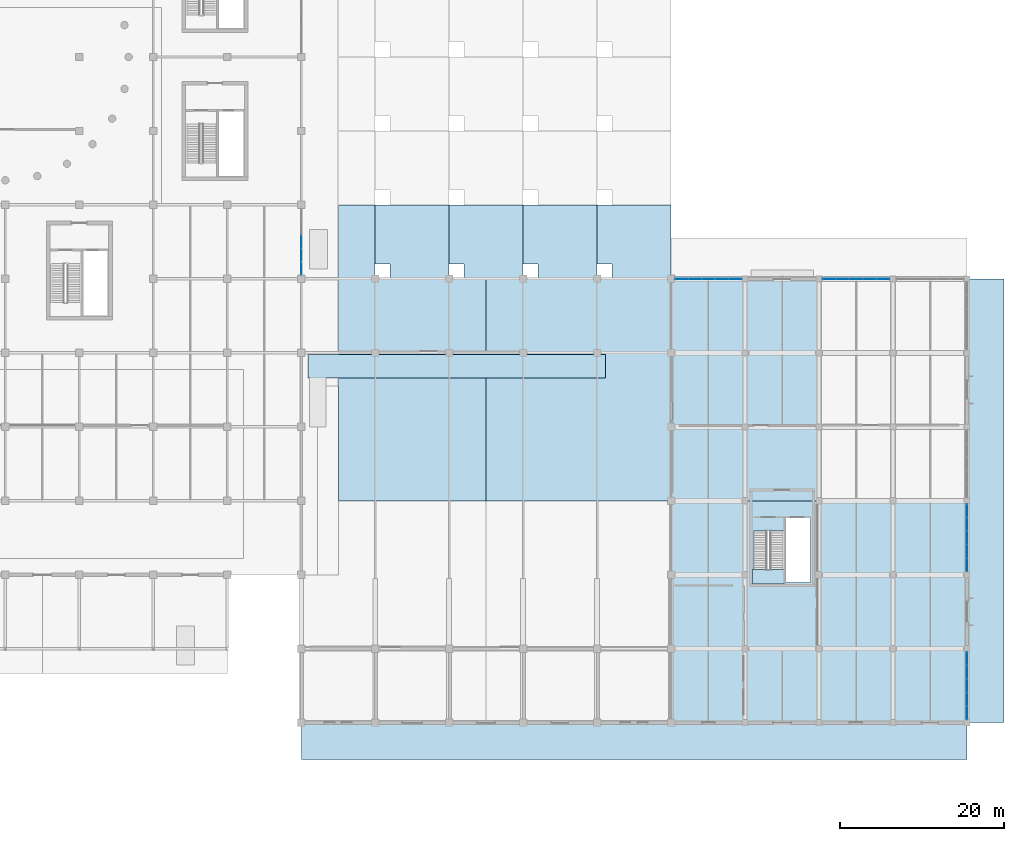
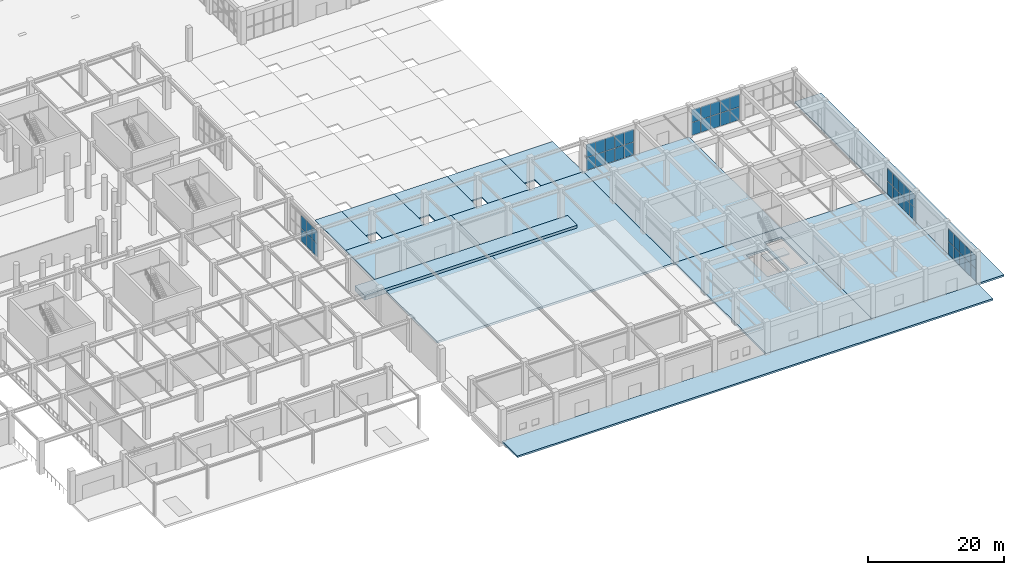
# One storey, part 54 of 91: 46 plates, 15 slabs, 6 elements without a shape of their own.
"""IFC4 building model written with IfcOpenShell, lengths in metres."""

from ifc_helpers import new_model, si_unit, direction, frame, origin, origin_2d, place, context, subcontext, project, spatial, polyline, rectangle, outline, extrude, material, layer, layer_set, type_object, element, aggregate, save


model = new_model("IFC4")

# Units and contexts
model_context = context("Model", 3, precision=1e-05, world=origin(), true_north=direction((0.0, 1.0)))
body_context = subcontext(model_context, "Body", "Model", "MODEL_VIEW")
ifc_project = project(units=[si_unit("LENGTHUNIT", "METRE"), si_unit("AREAUNIT", "SQUARE_METRE"), si_unit("VOLUMEUNIT", "CUBIC_METRE"), si_unit("PLANEANGLEUNIT", "RADIAN"), si_unit("MASSUNIT", "GRAM", prefix="KILO")], contexts=[model_context])

# Site, building, storey
site_placement = place(None, origin())
site = spatial("IfcSite", under=ifc_project, at=site_placement, CompositionType="ELEMENT")
building_placement = place(site_placement, origin())
building = spatial("IfcBuilding", under=site, at=building_placement, Name="Dornveld Trade and Exhibition Forum", CompositionType="ELEMENT")
storey_placement = place(building_placement, origin())
storey = spatial("IfcBuildingStorey", under=building, at=storey_placement, Name="L00", CompositionType="ELEMENT", Elevation=0.0)

# Curtain wall, plates
ifc_material_1 = material(Name="Dark-bronze anodised aluminium and low-E glass", Category="aluminium")
ifc_layer_1 = layer(ifc_material_1, 0.154052734375)
ifc_layer_set_1 = layer_set([ifc_layer_1], Name="Dark-bronze anodised aluminium and low-E glass")
curtain_wall_type_1 = type_object("IfcCurtainWallType", Name="CW-SYS-04", PredefinedType="USERDEFINED", material=ifc_layer_set_1)
curtain_wall_1_placement = place(storey_placement, origin())
curtain_wall_1 = element("IfcCurtainWall", 1, at=curtain_wall_1_placement, inside=storey, type_object=curtain_wall_type_1, Name="L00 unitised curtain wall 58", ObjectType="UNITISED_CURTAIN_WALL", PredefinedType="USERDEFINED")
ifc_material_2 = material(Name="Double-glazed low-E solar control glass", Category="glass")
ifc_layer_2 = layer(ifc_material_2, 0.028076171875)
ifc_layer_set_2 = layer_set([ifc_layer_2], Name="Double-glazed low-E solar control glass")
plate_type_1 = type_object("IfcPlateType", Name="CW-PNL-02", PredefinedType="CURTAIN_PANEL", material=ifc_layer_set_2)
plate_1_placement = place(storey_placement, frame((153.0, 55.271728515625, 0.055908203125), z_axis=(0.0, 0.0, 1.0), x_axis=(0.0, 1.0, 0.0)))
plate_1 = element("IfcPlate", 2, at=plate_1_placement, type_object=plate_type_1, Name="CW-04 panel 1.1", PredefinedType="CURTAIN_PANEL", context=body_context, shape_type="SweptSolid", body=[
    extrude(rectangle(XDim=1.531494140625, YDim=0.028076171875, at=origin_2d()), origin(), (0.0, 0.0, 1.0), 2.2919921875),
])
plate_2_placement = place(storey_placement, frame((153.0, 55.271728515625, 2.407958984375), z_axis=(0.0, 0.0, 1.0), x_axis=(0.0, 1.0, 0.0)))
plate_2 = element("IfcPlate", 3, at=plate_2_placement, type_object=plate_type_1, Name="CW-04 panel 1.2", PredefinedType="CURTAIN_PANEL", context=body_context, shape_type="SweptSolid", body=[
    extrude(rectangle(XDim=1.531494140625, YDim=0.028076171875, at=origin_2d()), origin(), (0.0, 0.0, 1.0), 2.2919921875),
])
plate_3_placement = place(storey_placement, frame((153.0, 56.87841796875, 0.055908203125), z_axis=(0.0, 0.0, 1.0), x_axis=(0.0, 1.0, 0.0)))
plate_3 = element("IfcPlate", 4, at=plate_3_placement, type_object=plate_type_1, Name="CW-04 panel 2.1", PredefinedType="CURTAIN_PANEL", context=body_context, shape_type="SweptSolid", body=[
    extrude(rectangle(XDim=1.5615234375, YDim=0.028076171875, at=origin_2d()), origin(), (0.0, 0.0, 1.0), 2.2919921875),
])
plate_4_placement = place(storey_placement, frame((153.0, 56.87841796875, 2.407958984375), z_axis=(0.0, 0.0, 1.0), x_axis=(0.0, 1.0, 0.0)))
plate_4 = element("IfcPlate", 5, at=plate_4_placement, type_object=plate_type_1, Name="CW-04 panel 2.2", PredefinedType="CURTAIN_PANEL", context=body_context, shape_type="SweptSolid", body=[
    extrude(rectangle(XDim=1.5615234375, YDim=0.028076171875, at=origin_2d()), origin(), (0.0, 0.0, 1.0), 2.2919921875),
])
plate_5_placement = place(storey_placement, frame((153.0, 58.5, 0.055908203125), z_axis=(0.0, 0.0, 1.0), x_axis=(0.0, 1.0, 0.0)))
plate_5 = element("IfcPlate", 6, at=plate_5_placement, type_object=plate_type_1, Name="CW-04 panel 3.1", PredefinedType="CURTAIN_PANEL", context=body_context, shape_type="SweptSolid", body=[
    extrude(rectangle(XDim=1.5615234375, YDim=0.028076171875, at=origin_2d()), origin(), (0.0, 0.0, 1.0), 2.2919921875),
])
plate_6_placement = place(storey_placement, frame((153.0, 58.5, 2.407958984375), z_axis=(0.0, 0.0, 1.0), x_axis=(0.0, 1.0, 0.0)))
plate_6 = element("IfcPlate", 7, at=plate_6_placement, type_object=plate_type_1, Name="CW-04 panel 3.2", PredefinedType="CURTAIN_PANEL", context=body_context, shape_type="SweptSolid", body=[
    extrude(rectangle(XDim=1.5615234375, YDim=0.028076171875, at=origin_2d()), origin(), (0.0, 0.0, 1.0), 2.2919921875),
])
aggregate(curtain_wall_1, [plate_1, plate_2, plate_3, plate_4, plate_5, plate_6])

ifc_material_3 = material(Name="Dark-bronze anodised aluminium and low-E glass", Category="aluminium")
ifc_layer_3 = layer(ifc_material_3, 0.177978515625)
ifc_layer_set_3 = layer_set([ifc_layer_3], Name="Dark-bronze anodised aluminium and low-E glass")
curtain_wall_type_2 = type_object("IfcCurtainWallType", Name="CW-SYS-12", PredefinedType="USERDEFINED", material=ifc_layer_set_3)
curtain_wall_2_placement = place(storey_placement, origin())
curtain_wall_2 = element("IfcCurtainWall", 8, at=curtain_wall_2_placement, inside=storey, type_object=curtain_wall_type_2, Name="L00 unitised curtain wall 66", ObjectType="UNITISED_CURTAIN_WALL", PredefinedType="USERDEFINED")
plate_7_placement = place(storey_placement, frame((234.0, 1.2119140625, 0.055908203125), z_axis=(0.0, 0.0, 1.0), x_axis=(0.0, 1.0, 0.0)))
plate_7 = element("IfcPlate", 9, at=plate_7_placement, type_object=plate_type_1, Name="CW-12 panel 1.1", PredefinedType="CURTAIN_PANEL", context=body_context, shape_type="SweptSolid", body=[
    extrude(rectangle(XDim=1.5615234375, YDim=0.028076171875, at=origin_2d()), origin(), (0.0, 0.0, 1.0), 2.2919921875),
])
plate_8_placement = place(storey_placement, frame((234.0, 1.2119140625, 2.407958984375), z_axis=(0.0, 0.0, 1.0), x_axis=(0.0, 1.0, 0.0)))
plate_8 = element("IfcPlate", 10, at=plate_8_placement, type_object=plate_type_1, Name="CW-12 panel 1.2", PredefinedType="CURTAIN_PANEL", context=body_context, shape_type="SweptSolid", body=[
    extrude(rectangle(XDim=1.5615234375, YDim=0.028076171875, at=origin_2d()), origin(), (0.0, 0.0, 1.0), 2.2919921875),
])
plate_9_placement = place(storey_placement, frame((234.0, 2.848388671875, 0.055908203125), z_axis=(0.0, 0.0, 1.0), x_axis=(0.0, 1.0, 0.0)))
plate_9 = element("IfcPlate", 11, at=plate_9_placement, type_object=plate_type_1, Name="CW-12 panel 2.1", PredefinedType="CURTAIN_PANEL", context=body_context, shape_type="SweptSolid", body=[
    extrude(rectangle(XDim=1.591552734375, YDim=0.028076171875, at=origin_2d()), origin(), (0.0, 0.0, 1.0), 2.2919921875),
])
plate_10_placement = place(storey_placement, frame((234.0, 2.848388671875, 2.407958984375), z_axis=(0.0, 0.0, 1.0), x_axis=(0.0, 1.0, 0.0)))
plate_10 = element("IfcPlate", 12, at=plate_10_placement, type_object=plate_type_1, Name="CW-12 panel 2.2", PredefinedType="CURTAIN_PANEL", context=body_context, shape_type="SweptSolid", body=[
    extrude(rectangle(XDim=1.591552734375, YDim=0.028076171875, at=origin_2d()), origin(), (0.0, 0.0, 1.0), 2.2919921875),
])
plate_11_placement = place(storey_placement, frame((234.0, 4.5, 0.055908203125), z_axis=(0.0, 0.0, 1.0), x_axis=(0.0, 1.0, 0.0)))
plate_11 = element("IfcPlate", 13, at=plate_11_placement, type_object=plate_type_1, Name="CW-12 panel 3.1", PredefinedType="CURTAIN_PANEL", context=body_context, shape_type="SweptSolid", body=[
    extrude(rectangle(XDim=1.591552734375, YDim=0.028076171875, at=origin_2d()), origin(), (0.0, 0.0, 1.0), 2.2919921875),
])
plate_12_placement = place(storey_placement, frame((234.0, 4.5, 2.407958984375), z_axis=(0.0, 0.0, 1.0), x_axis=(0.0, 1.0, 0.0)))
plate_12 = element("IfcPlate", 14, at=plate_12_placement, type_object=plate_type_1, Name="CW-12 panel 3.2", PredefinedType="CURTAIN_PANEL", context=body_context, shape_type="SweptSolid", body=[
    extrude(rectangle(XDim=1.591552734375, YDim=0.028076171875, at=origin_2d()), origin(), (0.0, 0.0, 1.0), 2.2919921875),
])
plate_13_placement = place(storey_placement, frame((234.0, 6.151611328125, 0.055908203125), z_axis=(0.0, 0.0, 1.0), x_axis=(0.0, 1.0, 0.0)))
plate_13 = element("IfcPlate", 15, at=plate_13_placement, type_object=plate_type_1, Name="CW-12 panel 4.1", PredefinedType="CURTAIN_PANEL", context=body_context, shape_type="SweptSolid", body=[
    extrude(rectangle(XDim=1.591552734375, YDim=0.028076171875, at=origin_2d()), origin(), (0.0, 0.0, 1.0), 2.2919921875),
])
plate_14_placement = place(storey_placement, frame((234.0, 6.151611328125, 2.407958984375), z_axis=(0.0, 0.0, 1.0), x_axis=(0.0, 1.0, 0.0)))
plate_14 = element("IfcPlate", 16, at=plate_14_placement, type_object=plate_type_1, Name="CW-12 panel 4.2", PredefinedType="CURTAIN_PANEL", context=body_context, shape_type="SweptSolid", body=[
    extrude(rectangle(XDim=1.591552734375, YDim=0.028076171875, at=origin_2d()), origin(), (0.0, 0.0, 1.0), 2.2919921875),
])
plate_15_placement = place(storey_placement, frame((234.0, 7.7880859375, 0.055908203125), z_axis=(0.0, 0.0, 1.0), x_axis=(0.0, 1.0, 0.0)))
plate_15 = element("IfcPlate", 17, at=plate_15_placement, type_object=plate_type_1, Name="CW-12 panel 5.1", PredefinedType="CURTAIN_PANEL", context=body_context, shape_type="SweptSolid", body=[
    extrude(rectangle(XDim=1.5615234375, YDim=0.028076171875, at=origin_2d()), origin(), (0.0, 0.0, 1.0), 2.2919921875),
])
plate_16_placement = place(storey_placement, frame((234.0, 7.7880859375, 2.407958984375), z_axis=(0.0, 0.0, 1.0), x_axis=(0.0, 1.0, 0.0)))
plate_16 = element("IfcPlate", 18, at=plate_16_placement, type_object=plate_type_1, Name="CW-12 panel 5.2", PredefinedType="CURTAIN_PANEL", context=body_context, shape_type="SweptSolid", body=[
    extrude(rectangle(XDim=1.5615234375, YDim=0.028076171875, at=origin_2d()), origin(), (0.0, 0.0, 1.0), 2.2919921875),
])
aggregate(curtain_wall_2, [plate_7, plate_8, plate_9, plate_10, plate_11, plate_12, plate_13, plate_14, plate_15, plate_16])

ifc_material_4 = material(Name="Dark-bronze anodised aluminium and low-E glass", Category="aluminium")
ifc_layer_4 = layer(ifc_material_4, 0.180908203125)
ifc_layer_set_4 = layer_set([ifc_layer_4], Name="Dark-bronze anodised aluminium and low-E glass")
curtain_wall_type_3 = type_object("IfcCurtainWallType", Name="CW-SYS-13", PredefinedType="USERDEFINED", material=ifc_layer_set_4)
curtain_wall_3_placement = place(storey_placement, origin())
curtain_wall_3 = element("IfcCurtainWall", 19, at=curtain_wall_3_placement, inside=storey, type_object=curtain_wall_type_3, Name="L00 unitised curtain wall 67", ObjectType="UNITISED_CURTAIN_WALL", PredefinedType="USERDEFINED")
ifc_material_5 = material(Name="Double-glazed low-E solar control glass", Category="glass")
ifc_layer_5 = layer(ifc_material_5, 0.030029296875)
ifc_layer_set_5 = layer_set([ifc_layer_5], Name="Double-glazed low-E solar control glass")
plate_type_2 = type_object("IfcPlateType", Name="CW-PNL-03", PredefinedType="CURTAIN_PANEL", material=ifc_layer_set_5)
plate_17_placement = place(storey_placement, frame((234.0, 19.2119140625, 0.055908203125), z_axis=(0.0, 0.0, 1.0), x_axis=(0.0, 1.0, 0.0)))
plate_17 = element("IfcPlate", 20, at=plate_17_placement, type_object=plate_type_2, Name="CW-13 panel 1.1", PredefinedType="CURTAIN_PANEL", context=body_context, shape_type="SweptSolid", body=[
    extrude(rectangle(XDim=1.5615234375, YDim=0.030029296875, at=origin_2d()), origin(), (0.0, 0.0, 1.0), 2.2919921875),
])
plate_18_placement = place(storey_placement, frame((234.0, 19.2119140625, 2.407958984375), z_axis=(0.0, 0.0, 1.0), x_axis=(0.0, 1.0, 0.0)))
plate_18 = element("IfcPlate", 21, at=plate_18_placement, type_object=plate_type_2, Name="CW-13 panel 1.2", PredefinedType="CURTAIN_PANEL", context=body_context, shape_type="SweptSolid", body=[
    extrude(rectangle(XDim=1.5615234375, YDim=0.030029296875, at=origin_2d()), origin(), (0.0, 0.0, 1.0), 2.2919921875),
])
plate_19_placement = place(storey_placement, frame((234.0, 20.848388671875, 0.055908203125), z_axis=(0.0, 0.0, 1.0), x_axis=(0.0, 1.0, 0.0)))
plate_19 = element("IfcPlate", 22, at=plate_19_placement, type_object=plate_type_2, Name="CW-13 panel 2.1", PredefinedType="CURTAIN_PANEL", context=body_context, shape_type="SweptSolid", body=[
    extrude(rectangle(XDim=1.591552734375, YDim=0.030029296875, at=origin_2d()), origin(), (0.0, 0.0, 1.0), 2.2919921875),
])
plate_20_placement = place(storey_placement, frame((234.0, 20.848388671875, 2.407958984375), z_axis=(0.0, 0.0, 1.0), x_axis=(0.0, 1.0, 0.0)))
plate_20 = element("IfcPlate", 23, at=plate_20_placement, type_object=plate_type_2, Name="CW-13 panel 2.2", PredefinedType="CURTAIN_PANEL", context=body_context, shape_type="SweptSolid", body=[
    extrude(rectangle(XDim=1.591552734375, YDim=0.030029296875, at=origin_2d()), origin(), (0.0, 0.0, 1.0), 2.2919921875),
])
plate_21_placement = place(storey_placement, frame((234.0, 22.5, 0.055908203125), z_axis=(0.0, 0.0, 1.0), x_axis=(0.0, 1.0, 0.0)))
plate_21 = element("IfcPlate", 24, at=plate_21_placement, type_object=plate_type_2, Name="CW-13 panel 3.1", PredefinedType="CURTAIN_PANEL", context=body_context, shape_type="SweptSolid", body=[
    extrude(rectangle(XDim=1.591552734375, YDim=0.030029296875, at=origin_2d()), origin(), (0.0, 0.0, 1.0), 2.2919921875),
])
plate_22_placement = place(storey_placement, frame((234.0, 22.5, 2.407958984375), z_axis=(0.0, 0.0, 1.0), x_axis=(0.0, 1.0, 0.0)))
plate_22 = element("IfcPlate", 25, at=plate_22_placement, type_object=plate_type_2, Name="CW-13 panel 3.2", PredefinedType="CURTAIN_PANEL", context=body_context, shape_type="SweptSolid", body=[
    extrude(rectangle(XDim=1.591552734375, YDim=0.030029296875, at=origin_2d()), origin(), (0.0, 0.0, 1.0), 2.2919921875),
])
plate_23_placement = place(storey_placement, frame((234.0, 24.151611328125, 0.055908203125), z_axis=(0.0, 0.0, 1.0), x_axis=(0.0, 1.0, 0.0)))
plate_23 = element("IfcPlate", 26, at=plate_23_placement, type_object=plate_type_2, Name="CW-13 panel 4.1", PredefinedType="CURTAIN_PANEL", context=body_context, shape_type="SweptSolid", body=[
    extrude(rectangle(XDim=1.591552734375, YDim=0.030029296875, at=origin_2d()), origin(), (0.0, 0.0, 1.0), 2.2919921875),
])
plate_24_placement = place(storey_placement, frame((234.0, 24.151611328125, 2.407958984375), z_axis=(0.0, 0.0, 1.0), x_axis=(0.0, 1.0, 0.0)))
plate_24 = element("IfcPlate", 27, at=plate_24_placement, type_object=plate_type_2, Name="CW-13 panel 4.2", PredefinedType="CURTAIN_PANEL", context=body_context, shape_type="SweptSolid", body=[
    extrude(rectangle(XDim=1.591552734375, YDim=0.030029296875, at=origin_2d()), origin(), (0.0, 0.0, 1.0), 2.2919921875),
])
plate_25_placement = place(storey_placement, frame((234.0, 25.7880859375, 0.055908203125), z_axis=(0.0, 0.0, 1.0), x_axis=(0.0, 1.0, 0.0)))
plate_25 = element("IfcPlate", 28, at=plate_25_placement, type_object=plate_type_2, Name="CW-13 panel 5.1", PredefinedType="CURTAIN_PANEL", context=body_context, shape_type="SweptSolid", body=[
    extrude(rectangle(XDim=1.5615234375, YDim=0.030029296875, at=origin_2d()), origin(), (0.0, 0.0, 1.0), 2.2919921875),
])
plate_26_placement = place(storey_placement, frame((234.0, 25.7880859375, 2.407958984375), z_axis=(0.0, 0.0, 1.0), x_axis=(0.0, 1.0, 0.0)))
plate_26 = element("IfcPlate", 29, at=plate_26_placement, type_object=plate_type_2, Name="CW-13 panel 5.2", PredefinedType="CURTAIN_PANEL", context=body_context, shape_type="SweptSolid", body=[
    extrude(rectangle(XDim=1.5615234375, YDim=0.030029296875, at=origin_2d()), origin(), (0.0, 0.0, 1.0), 2.2919921875),
])
aggregate(curtain_wall_3, [plate_17, plate_18, plate_19, plate_20, plate_21, plate_22, plate_23, plate_24, plate_25, plate_26])

curtain_wall_4_placement = place(storey_placement, origin())
curtain_wall_4 = element("IfcCurtainWall", 30, at=curtain_wall_4_placement, inside=storey, type_object=curtain_wall_type_2, Name="L00 unitised curtain wall 84", ObjectType="UNITISED_CURTAIN_WALL", PredefinedType="USERDEFINED")
ifc_material_6 = material(Name="Double-glazed low-E solar control glass", Category="glass")
ifc_layer_6 = layer(ifc_material_6, 0.031982421875)
ifc_layer_set_6 = layer_set([ifc_layer_6], Name="Double-glazed low-E solar control glass")
plate_type_3 = type_object("IfcPlateType", Name="CW-PNL-04", PredefinedType="CURTAIN_PANEL", material=ifc_layer_set_6)
plate_27_placement = place(storey_placement, frame((205.795654296875, 54.0, 0.055908203125), z_axis=(0.0, 0.0, 1.0), x_axis=(-1.0, 0.0, 0.0)))
plate_27 = element("IfcPlate", 31, at=plate_27_placement, type_object=plate_type_3, Name="CW-12 panel 1.1", PredefinedType="CURTAIN_PANEL", context=body_context, shape_type="SweptSolid", body=[
    extrude(rectangle(XDim=1.546630859375, YDim=0.031982421875, at=origin_2d()), origin(), (0.0, 0.0, 1.0), 2.2919921875),
])
plate_28_placement = place(storey_placement, frame((205.795654296875, 54.0, 2.407958984375), z_axis=(0.0, 0.0, 1.0), x_axis=(-1.0, 0.0, 0.0)))
plate_28 = element("IfcPlate", 32, at=plate_28_placement, type_object=plate_type_3, Name="CW-12 panel 1.2", PredefinedType="CURTAIN_PANEL", context=body_context, shape_type="SweptSolid", body=[
    extrude(rectangle(XDim=1.546630859375, YDim=0.031982421875, at=origin_2d()), origin(), (0.0, 0.0, 1.0), 2.2919921875),
])
plate_29_placement = place(storey_placement, frame((204.174072265625, 54.0, 0.055908203125), z_axis=(0.0, 0.0, 1.0), x_axis=(-1.0, 0.0, 0.0)))
plate_29 = element("IfcPlate", 33, at=plate_29_placement, type_object=plate_type_3, Name="CW-12 panel 2.1", PredefinedType="CURTAIN_PANEL", context=body_context, shape_type="SweptSolid", body=[
    extrude(rectangle(XDim=1.57666015625, YDim=0.031982421875, at=origin_2d()), origin(), (0.0, 0.0, 1.0), 2.2919921875),
])
plate_30_placement = place(storey_placement, frame((204.174072265625, 54.0, 2.407958984375), z_axis=(0.0, 0.0, 1.0), x_axis=(-1.0, 0.0, 0.0)))
plate_30 = element("IfcPlate", 34, at=plate_30_placement, type_object=plate_type_3, Name="CW-12 panel 2.2", PredefinedType="CURTAIN_PANEL", context=body_context, shape_type="SweptSolid", body=[
    extrude(rectangle(XDim=1.57666015625, YDim=0.031982421875, at=origin_2d()), origin(), (0.0, 0.0, 1.0), 2.2919921875),
])
plate_31_placement = place(storey_placement, frame((202.53759765625, 54.0, 0.055908203125), z_axis=(0.0, 0.0, 1.0), x_axis=(-1.0, 0.0, 0.0)))
plate_31 = element("IfcPlate", 35, at=plate_31_placement, type_object=plate_type_3, Name="CW-12 panel 3.1", PredefinedType="CURTAIN_PANEL", context=body_context, shape_type="SweptSolid", body=[
    extrude(rectangle(XDim=1.57666015625, YDim=0.031982421875, at=origin_2d()), origin(), (0.0, 0.0, 1.0), 2.2919921875),
])
plate_32_placement = place(storey_placement, frame((202.53759765625, 54.0, 2.407958984375), z_axis=(0.0, 0.0, 1.0), x_axis=(-1.0, 0.0, 0.0)))
plate_32 = element("IfcPlate", 36, at=plate_32_placement, type_object=plate_type_3, Name="CW-12 panel 3.2", PredefinedType="CURTAIN_PANEL", context=body_context, shape_type="SweptSolid", body=[
    extrude(rectangle(XDim=1.57666015625, YDim=0.031982421875, at=origin_2d()), origin(), (0.0, 0.0, 1.0), 2.2919921875),
])
plate_33_placement = place(storey_placement, frame((200.90087890625, 54.0, 0.055908203125), z_axis=(0.0, 0.0, 1.0), x_axis=(-1.0, 0.0, 0.0)))
plate_33 = element("IfcPlate", 37, at=plate_33_placement, type_object=plate_type_3, Name="CW-12 panel 4.1", PredefinedType="CURTAIN_PANEL", context=body_context, shape_type="SweptSolid", body=[
    extrude(rectangle(XDim=1.57666015625, YDim=0.031982421875, at=origin_2d()), origin(), (0.0, 0.0, 1.0), 2.2919921875),
])
plate_34_placement = place(storey_placement, frame((200.90087890625, 54.0, 2.407958984375), z_axis=(0.0, 0.0, 1.0), x_axis=(-1.0, 0.0, 0.0)))
plate_34 = element("IfcPlate", 38, at=plate_34_placement, type_object=plate_type_3, Name="CW-12 panel 4.2", PredefinedType="CURTAIN_PANEL", context=body_context, shape_type="SweptSolid", body=[
    extrude(rectangle(XDim=1.57666015625, YDim=0.031982421875, at=origin_2d()), origin(), (0.0, 0.0, 1.0), 2.2919921875),
])
plate_35_placement = place(storey_placement, frame((199.279296875, 54.0, 0.055908203125), z_axis=(0.0, 0.0, 1.0), x_axis=(-1.0, 0.0, 0.0)))
plate_35 = element("IfcPlate", 39, at=plate_35_placement, type_object=plate_type_3, Name="CW-12 panel 5.1", PredefinedType="CURTAIN_PANEL", context=body_context, shape_type="SweptSolid", body=[
    extrude(rectangle(XDim=1.546630859375, YDim=0.031982421875, at=origin_2d()), origin(), (0.0, 0.0, 1.0), 2.2919921875),
])
plate_36_placement = place(storey_placement, frame((199.279296875, 54.0, 2.407958984375), z_axis=(0.0, 0.0, 1.0), x_axis=(-1.0, 0.0, 0.0)))
plate_36 = element("IfcPlate", 40, at=plate_36_placement, type_object=plate_type_3, Name="CW-12 panel 5.2", PredefinedType="CURTAIN_PANEL", context=body_context, shape_type="SweptSolid", body=[
    extrude(rectangle(XDim=1.546630859375, YDim=0.031982421875, at=origin_2d()), origin(), (0.0, 0.0, 1.0), 2.2919921875),
])
aggregate(curtain_wall_4, [plate_27, plate_28, plate_29, plate_30, plate_31, plate_32, plate_33, plate_34, plate_35, plate_36])

curtain_wall_5_placement = place(storey_placement, origin())
curtain_wall_5 = element("IfcCurtainWall", 41, at=curtain_wall_5_placement, inside=storey, type_object=curtain_wall_type_3, Name="L00 unitised curtain wall 85", ObjectType="UNITISED_CURTAIN_WALL", PredefinedType="USERDEFINED")
ifc_material_7 = material(Name="Double-glazed low-E solar control glass", Category="glass")
ifc_layer_7 = layer(ifc_material_7, 0.033935546875)
ifc_layer_set_7 = layer_set([ifc_layer_7], Name="Double-glazed low-E solar control glass")
plate_type_4 = type_object("IfcPlateType", Name="CW-PNL-05", PredefinedType="CURTAIN_PANEL", material=ifc_layer_set_7)
plate_37_placement = place(storey_placement, frame((223.7880859375, 54.0, 0.055908203125), z_axis=(0.0, 0.0, 1.0), x_axis=(-1.0, 0.0, 0.0)))
plate_37 = element("IfcPlate", 42, at=plate_37_placement, type_object=plate_type_4, Name="CW-13 panel 1.1", PredefinedType="CURTAIN_PANEL", context=body_context, shape_type="SweptSolid", body=[
    extrude(rectangle(XDim=1.5615234375, YDim=0.033935546875, at=origin_2d()), origin(), (0.0, 0.0, 1.0), 2.2919921875),
])
plate_38_placement = place(storey_placement, frame((223.7880859375, 54.0, 2.407958984375), z_axis=(0.0, 0.0, 1.0), x_axis=(-1.0, 0.0, 0.0)))
plate_38 = element("IfcPlate", 43, at=plate_38_placement, type_object=plate_type_4, Name="CW-13 panel 1.2", PredefinedType="CURTAIN_PANEL", context=body_context, shape_type="SweptSolid", body=[
    extrude(rectangle(XDim=1.5615234375, YDim=0.033935546875, at=origin_2d()), origin(), (0.0, 0.0, 1.0), 2.2919921875),
])
plate_39_placement = place(storey_placement, frame((222.151611328125, 54.0, 0.055908203125), z_axis=(0.0, 0.0, 1.0), x_axis=(-1.0, 0.0, 0.0)))
plate_39 = element("IfcPlate", 44, at=plate_39_placement, type_object=plate_type_4, Name="CW-13 panel 2.1", PredefinedType="CURTAIN_PANEL", context=body_context, shape_type="SweptSolid", body=[
    extrude(rectangle(XDim=1.591552734375, YDim=0.033935546875, at=origin_2d()), origin(), (0.0, 0.0, 1.0), 2.2919921875),
])
plate_40_placement = place(storey_placement, frame((222.151611328125, 54.0, 2.407958984375), z_axis=(0.0, 0.0, 1.0), x_axis=(-1.0, 0.0, 0.0)))
plate_40 = element("IfcPlate", 45, at=plate_40_placement, type_object=plate_type_4, Name="CW-13 panel 2.2", PredefinedType="CURTAIN_PANEL", context=body_context, shape_type="SweptSolid", body=[
    extrude(rectangle(XDim=1.591552734375, YDim=0.033935546875, at=origin_2d()), origin(), (0.0, 0.0, 1.0), 2.2919921875),
])
plate_41_placement = place(storey_placement, frame((220.5, 54.0, 0.055908203125), z_axis=(0.0, 0.0, 1.0), x_axis=(-1.0, 0.0, 0.0)))
plate_41 = element("IfcPlate", 46, at=plate_41_placement, type_object=plate_type_4, Name="CW-13 panel 3.1", PredefinedType="CURTAIN_PANEL", context=body_context, shape_type="SweptSolid", body=[
    extrude(rectangle(XDim=1.591552734375, YDim=0.033935546875, at=origin_2d()), origin(), (0.0, 0.0, 1.0), 2.2919921875),
])
plate_42_placement = place(storey_placement, frame((220.5, 54.0, 2.407958984375), z_axis=(0.0, 0.0, 1.0), x_axis=(-1.0, 0.0, 0.0)))
plate_42 = element("IfcPlate", 47, at=plate_42_placement, type_object=plate_type_4, Name="CW-13 panel 3.2", PredefinedType="CURTAIN_PANEL", context=body_context, shape_type="SweptSolid", body=[
    extrude(rectangle(XDim=1.591552734375, YDim=0.033935546875, at=origin_2d()), origin(), (0.0, 0.0, 1.0), 2.2919921875),
])
plate_43_placement = place(storey_placement, frame((218.848388671875, 54.0, 0.055908203125), z_axis=(0.0, 0.0, 1.0), x_axis=(-1.0, 0.0, 0.0)))
plate_43 = element("IfcPlate", 48, at=plate_43_placement, type_object=plate_type_4, Name="CW-13 panel 4.1", PredefinedType="CURTAIN_PANEL", context=body_context, shape_type="SweptSolid", body=[
    extrude(rectangle(XDim=1.591552734375, YDim=0.033935546875, at=origin_2d()), origin(), (0.0, 0.0, 1.0), 2.2919921875),
])
plate_44_placement = place(storey_placement, frame((218.848388671875, 54.0, 2.407958984375), z_axis=(0.0, 0.0, 1.0), x_axis=(-1.0, 0.0, 0.0)))
plate_44 = element("IfcPlate", 49, at=plate_44_placement, type_object=plate_type_4, Name="CW-13 panel 4.2", PredefinedType="CURTAIN_PANEL", context=body_context, shape_type="SweptSolid", body=[
    extrude(rectangle(XDim=1.591552734375, YDim=0.033935546875, at=origin_2d()), origin(), (0.0, 0.0, 1.0), 2.2919921875),
])
plate_45_placement = place(storey_placement, frame((217.2119140625, 54.0, 0.055908203125), z_axis=(0.0, 0.0, 1.0), x_axis=(-1.0, 0.0, 0.0)))
plate_45 = element("IfcPlate", 50, at=plate_45_placement, type_object=plate_type_4, Name="CW-13 panel 5.1", PredefinedType="CURTAIN_PANEL", context=body_context, shape_type="SweptSolid", body=[
    extrude(rectangle(XDim=1.5615234375, YDim=0.033935546875, at=origin_2d()), origin(), (0.0, 0.0, 1.0), 2.2919921875),
])
plate_46_placement = place(storey_placement, frame((217.2119140625, 54.0, 2.407958984375), z_axis=(0.0, 0.0, 1.0), x_axis=(-1.0, 0.0, 0.0)))
plate_46 = element("IfcPlate", 51, at=plate_46_placement, type_object=plate_type_4, Name="CW-13 panel 5.2", PredefinedType="CURTAIN_PANEL", context=body_context, shape_type="SweptSolid", body=[
    extrude(rectangle(XDim=1.5615234375, YDim=0.033935546875, at=origin_2d()), origin(), (0.0, 0.0, 1.0), 2.2919921875),
])
aggregate(curtain_wall_5, [plate_37, plate_38, plate_39, plate_40, plate_41, plate_42, plate_43, plate_44, plate_45, plate_46])

# Slabs
ifc_material_8 = material(Name="Precast concrete C50/60", Category="concrete")
ifc_layer_8 = layer(ifc_material_8, 0.22998046875)
ifc_layer_set_8 = layer_set([ifc_layer_8], Name="Precast concrete C50/60")
slab_type_1 = type_object("IfcSlabType", Name="SL-EXT-02", PredefinedType="BASESLAB", material=ifc_layer_set_8)
slab_1_placement = place(storey_placement, frame((0.0, 0.0, -0.22998046875)))
element("IfcSlab", 52, at=slab_1_placement, inside=storey, type_object=slab_type_1, Name="Walled Park Garden Court granite paving bay 1.1", PredefinedType="BASESLAB", context=body_context, shape_type="SweptSolid", body=[
    extrude(outline(polyline([(162.0, 63.0), (162.0, 54.0), (157.501953125, 54.0), (157.501953125, 63.0), (162.0, 63.0)])), origin(), (0.0, 0.0, 1.0), 0.22998046875),
])
slab_2_placement = place(storey_placement, frame((0.0, 0.0, -0.22998046875)))
element("IfcSlab", 53, at=slab_2_placement, inside=storey, type_object=slab_type_1, Name="Walled Park Garden Court granite paving bay 2.1", PredefinedType="BASESLAB", context=body_context, shape_type="SweptSolid", body=[
    extrude(outline(polyline([(163.800048828125, 54.0), (171.0, 54.0), (171.0, 63.0), (162.0, 63.0), (162.0, 55.800048828125), (163.800048828125, 55.800048828125), (163.800048828125, 54.0)])), origin(), (0.0, 0.0, 1.0), 0.22998046875),
])
slab_3_placement = place(storey_placement, frame((0.0, 0.0, -0.22998046875)))
element("IfcSlab", 54, at=slab_3_placement, inside=storey, type_object=slab_type_1, Name="Walled Park Garden Court granite paving bay 3.1", PredefinedType="BASESLAB", context=body_context, shape_type="SweptSolid", body=[
    extrude(outline(polyline([(172.800048828125, 54.0), (180.0, 54.0), (180.0, 63.0), (171.0, 63.0), (171.0, 55.800048828125), (172.800048828125, 55.800048828125), (172.800048828125, 54.0)])), origin(), (0.0, 0.0, 1.0), 0.22998046875),
])
slab_4_placement = place(storey_placement, frame((0.0, 0.0, -0.22998046875)))
element("IfcSlab", 55, at=slab_4_placement, inside=storey, type_object=slab_type_1, Name="Walled Park Garden Court granite paving bay 4.1", PredefinedType="BASESLAB", context=body_context, shape_type="SweptSolid", body=[
    extrude(outline(polyline([(181.800048828125, 54.0), (189.0, 54.0), (189.0, 63.0), (180.0, 63.0), (180.0, 55.800048828125), (181.800048828125, 55.800048828125), (181.800048828125, 54.0)])), origin(), (0.0, 0.0, 1.0), 0.22998046875),
])
slab_5_placement = place(storey_placement, frame((0.0, 0.0, -0.22998046875)))
element("IfcSlab", 56, at=slab_5_placement, inside=storey, type_object=slab_type_1, Name="Walled Park Garden Court granite paving bay 5.1", PredefinedType="BASESLAB", context=body_context, shape_type="SweptSolid", body=[
    extrude(outline(polyline([(190.800048828125, 54.0), (198.0, 54.0), (198.0, 63.0), (189.0, 63.0), (189.0, 55.800048828125), (190.800048828125, 55.800048828125), (190.800048828125, 54.0)])), origin(), (0.0, 0.0, 1.0), 0.22998046875),
])
ifc_material_9 = material(Name="Precast concrete C50/60", Category="concrete")
ifc_layer_9 = layer(ifc_material_9, 0.31005859375)
ifc_layer_set_9 = layer_set([ifc_layer_9], Name="Precast concrete C50/60")
slab_type_2 = type_object("IfcSlabType", Name="SL-EXT-04", PredefinedType="BASESLAB", material=ifc_layer_set_9)
slab_6_placement = place(storey_placement, frame((0.0, 0.0, -0.31005859375)))
element("IfcSlab", 57, at=slab_6_placement, inside=storey, type_object=slab_type_2, Name="L00 perimeter court paving PAV-SE", PredefinedType="BASESLAB", context=body_context, shape_type="SweptSolid", body=[
    extrude(outline(polyline([(153.0, -0.001953125), (234.0, -0.001953125), (234.0, -4.5), (153.0, -4.5), (153.0, -0.001953125)])), origin(), (0.0, 0.0, 1.0), 0.31005859375),
])
ifc_material_10 = material(Name="Precast concrete C50/60", Category="concrete")
ifc_layer_10 = layer(ifc_material_10, 0.330078125)
ifc_layer_set_10 = layer_set([ifc_layer_10], Name="Precast concrete C50/60")
slab_type_3 = type_object("IfcSlabType", Name="SL-EXT-05", PredefinedType="BASESLAB", material=ifc_layer_set_10)
slab_7_placement = place(storey_placement, frame((0.0, 0.0, -0.330078125)))
element("IfcSlab", 58, at=slab_7_placement, inside=storey, type_object=slab_type_3, Name="L00 perimeter court paving PAV-E", PredefinedType="BASESLAB", context=body_context, shape_type="SweptSolid", body=[
    extrude(outline(polyline([(238.5, 54.0), (238.5, 0.0), (234.001953125, 0.0), (234.001953125, 54.0), (238.5, 54.0)])), origin(), (0.0, 0.0, 1.0), 0.330078125),
])
ifc_material_11 = material(Name="Concrete C40/50", Category="concrete")
ifc_layer_11 = layer(ifc_material_11, 0.3798828125)
ifc_layer_set_11 = layer_set([ifc_layer_11], Name="Concrete C40/50")
slab_type_4 = type_object("IfcSlabType", Name="SL-HALL-380", PredefinedType="BASESLAB", material=ifc_layer_set_11)
slab_8_placement = place(storey_placement, frame((0.0, 0.0, -0.3798828125)))
element("IfcSlab", 59, at=slab_8_placement, inside=storey, type_object=slab_type_4, Name="L00 structural slab panel 19", PredefinedType="BASESLAB", context=body_context, shape_type="SweptSolid", body=[
    extrude(outline(polyline([(157.501953125, 27.0), (157.501953125, 41.91796875), (175.5, 41.91796875), (175.5, 27.0), (157.501953125, 27.0)])), origin(), (0.0, 0.0, 1.0), 0.3798828125),
])
slab_9_placement = place(storey_placement, frame((0.0, 0.0, -0.3798828125)))
element("IfcSlab", 60, at=slab_9_placement, inside=storey, type_object=slab_type_4, Name="L00 structural slab panel 21", PredefinedType="BASESLAB", context=body_context, shape_type="SweptSolid", body=[
    extrude(outline(polyline([(175.5, 54.0), (198.0, 54.0), (198.0, 27.0), (175.5, 27.0), (175.5, 41.91796875), (190.001953125, 41.91796875), (190.001953125, 44.802001953125), (175.5, 44.802001953125), (175.5, 54.0)])), origin(), (0.0, 0.0, 1.0), 0.3798828125),
])
slab_10_placement = place(storey_placement, frame((0.0, 0.0, -0.3798828125)))
element("IfcSlab", 61, at=slab_10_placement, inside=storey, type_object=slab_type_4, Name="L00 structural slab panel 22", PredefinedType="BASESLAB", context=body_context, shape_type="SweptSolid", body=[
    extrude(outline(polyline([(198.0, 0.0), (216.0, 0.0), (216.0, 27.0), (198.0, 27.0), (198.0, 0.0)]), holes=[polyline([(208.050048828125, 17.050048828125), (211.64990234375, 17.050048828125), (211.64990234375, 23.330078125), (208.050048828125, 23.330078125), (208.050048828125, 17.050048828125)]), polyline([(212.0, 17.050048828125), (214.949951171875, 17.050048828125), (214.949951171875, 24.89990234375), (212.0, 24.89990234375), (212.0, 17.050048828125)])]), origin(), (0.0, 0.0, 1.0), 0.3798828125),
])
slab_11_placement = place(storey_placement, frame((0.0, 0.0, -0.3798828125)))
element("IfcSlab", 62, at=slab_11_placement, inside=storey, type_object=slab_type_4, Name="L00 structural slab panel 23", PredefinedType="BASESLAB", context=body_context, shape_type="SweptSolid", body=[
    extrude(outline(polyline([(198.0, 27.0), (216.0, 27.0), (216.0, 54.0), (198.0, 54.0), (198.0, 27.0)])), origin(), (0.0, 0.0, 1.0), 0.3798828125),
])
slab_12_placement = place(storey_placement, frame((0.0, 0.0, -0.3798828125)))
element("IfcSlab", 63, at=slab_12_placement, inside=storey, type_object=slab_type_4, Name="L00 structural slab panel 24", PredefinedType="BASESLAB", context=body_context, shape_type="SweptSolid", body=[
    extrude(outline(polyline([(216.0, 0.0), (234.0, 0.0), (234.0, 27.0), (216.0, 27.0), (216.0, 0.0)])), origin(), (0.0, 0.0, 1.0), 0.3798828125),
])
slab_13_placement = place(storey_placement, frame((0.0, 0.0, -0.3798828125)))
element("IfcSlab", 64, at=slab_13_placement, inside=storey, type_object=slab_type_4, Name="L00 Congress backstage floor slab", PredefinedType="BASESLAB", context=body_context, shape_type="SweptSolid", body=[
    extrude(outline(polyline([(175.5, 54.0), (175.5, 44.800048828125), (157.501953125, 44.800048828125), (157.501953125, 54.0), (175.5, 54.0)])), origin(), (0.0, 0.0, 1.0), 0.3798828125),
])

# Stair, slab
ifc_material_12 = material(Name="Concrete C40/50", Category="concrete")
stair_type = type_object("IfcStairType", Name="ST-2RET-600A", PredefinedType="HALF_TURN_STAIR", material=ifc_material_12)
stair_placement = place(storey_placement, origin())
stair = element("IfcStair", 65, at=stair_placement, inside=storey, type_object=stair_type, Name="CORE-11 escape stair L00 to L01", PredefinedType="HALF_TURN_STAIR")
ifc_material_13 = material(Name="Concrete C40/50", Category="concrete")
ifc_layer_12 = layer(ifc_material_13, 0.199951171875)
ifc_layer_set_12 = layer_set([ifc_layer_12], Name="Concrete C40/50")
slab_type_5 = type_object("IfcSlabType", Name="SL-LAND-200", PredefinedType="LANDING", material=ifc_layer_set_12)
slab_14_placement = place(storey_placement, frame((0.0, 0.0, 2.800048828125)))
slab_14 = element("IfcSlab", 66, at=slab_14_placement, type_object=slab_type_5, Name="ST-11-L00 landing 1", PredefinedType="LANDING", context=body_context, shape_type="SweptSolid", body=[
    extrude(outline(polyline([(207.875, 16.875), (211.719970703125, 16.875), (211.719970703125, 18.614990234375), (207.875, 18.614990234375), (207.875, 16.875)])), origin(), (0.0, 0.0, 1.0), 0.199951171875),
])
aggregate(stair, [slab_14])

# Slab
ifc_material_14 = material(Name="Precast concrete C50/60", Category="concrete")
ifc_layer_13 = layer(ifc_material_14, 0.239990234375)
ifc_layer_set_13 = layer_set([ifc_layer_13], Name="Precast concrete C50/60")
slab_type_6 = type_object("IfcSlabType", Name="SL-RAKE-240", PredefinedType="FLOOR", material=ifc_layer_set_13)
slab_15_placement = place(storey_placement, frame((0.0, 0.0, -0.3798828125)))
element("IfcSlab", 67, at=slab_15_placement, inside=storey, type_object=slab_type_6, Name="Plenary Congress Hall raised stage slab", PredefinedType="FLOOR", context=body_context, shape_type="SweptSolid", body=[
    extrude(outline(polyline([(153.800048828125, 41.919921875), (190.0, 41.919921875), (190.0, 44.800048828125), (153.800048828125, 44.800048828125), (153.800048828125, 41.919921875)])), origin(), (0.0, 0.0, 1.0), 0.8798828125),
])

save(model, "model.ifc")
